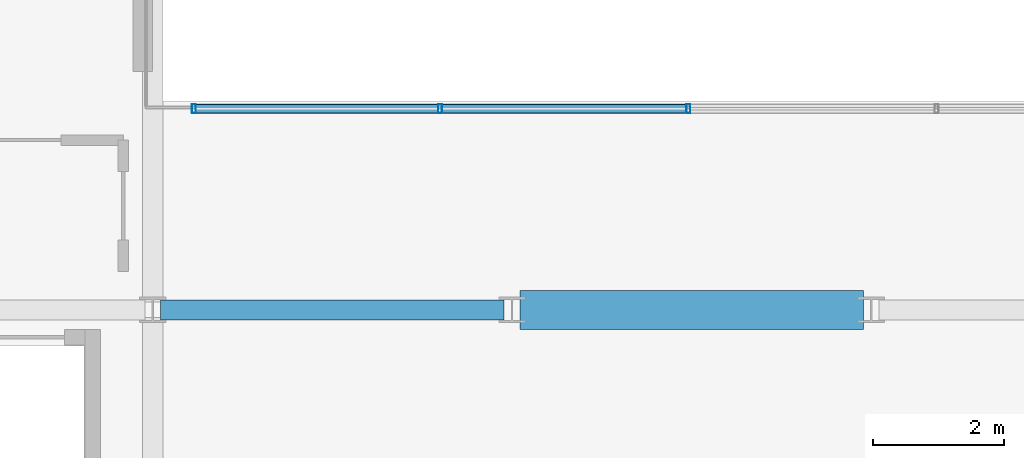
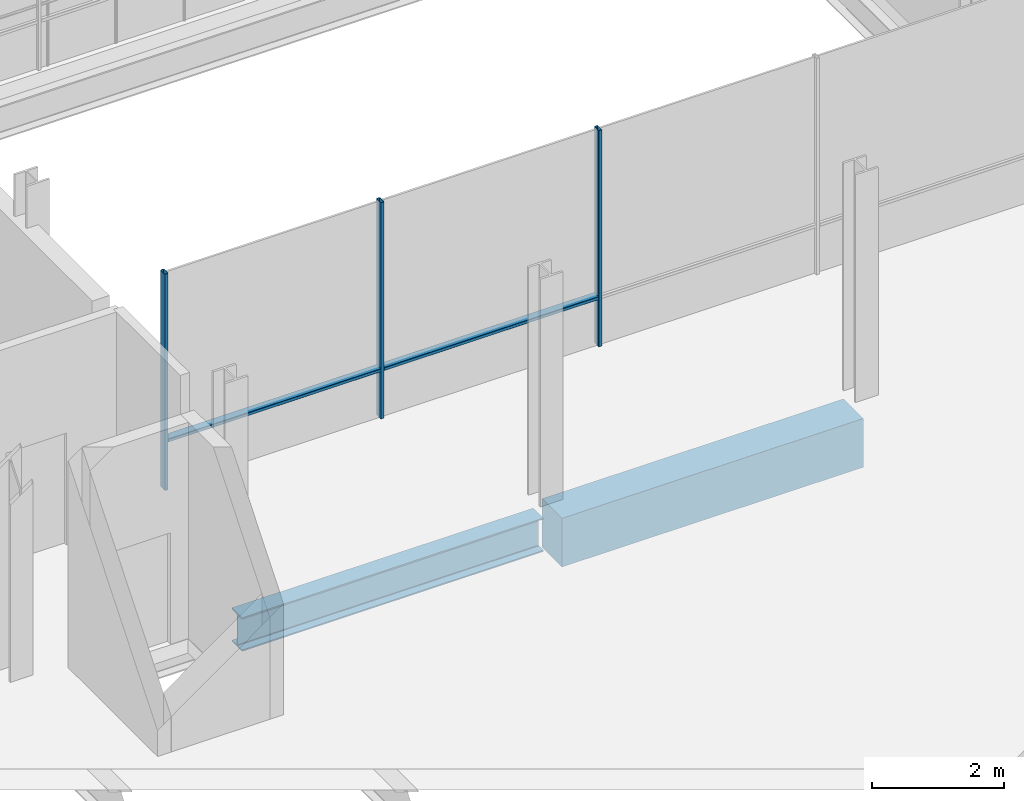
# One storey, part 5 of 33: 5 members, 2 beams, 1 element without a shape of its own.
"""IFC4 building model written with IfcOpenShell, lengths in metres."""

from ifc_helpers import new_model, si_unit, direction, frame, origin, origin_2d, place, context, subcontext, project, spatial, rectangle, hollow_rectangle, i_section, extrude, material, layer, layer_set, material_profile, profile_set, type_object, element, aggregate, save


model = new_model("IFC4")

# Units and contexts
model_context = context("Model", 3, precision=1e-05, world=origin(), true_north=direction((0.0, 1.0)))
body_context = subcontext(model_context, "Body", "Model", "MODEL_VIEW")
ifc_project = project(units=[si_unit("LENGTHUNIT", "METRE"), si_unit("AREAUNIT", "SQUARE_METRE"), si_unit("VOLUMEUNIT", "CUBIC_METRE"), si_unit("PLANEANGLEUNIT", "RADIAN"), si_unit("MASSUNIT", "GRAM", prefix="KILO")], contexts=[model_context])

# Site, building, storey
site_placement = place(None, origin())
site = spatial("IfcSite", under=ifc_project, at=site_placement, CompositionType="ELEMENT")
building_placement = place(site_placement, origin())
building = spatial("IfcBuilding", under=site, at=building_placement, Name="Brevholm Reach", CompositionType="ELEMENT")
storey_placement = place(building_placement, frame((0.0, 0.0, 179.0)))
storey = spatial("IfcBuildingStorey", under=building, at=storey_placement, Name="L54", CompositionType="ELEMENT", Elevation=179.0)

# Beams
ifc_material_1 = material(Name="Concrete C50/60", Category="concrete")
ifc_material_profile_1 = material_profile(ifc_material_1, rectangle(XDim=0.60009765625, YDim=0.89990234375, at=origin_2d()), Name="RC 600x900")
ifc_profile_set_1 = profile_set([ifc_material_profile_1], Name="Concrete C50/60")
beam_type_1 = type_object("IfcBeamType", Name="BM-CB600", PredefinedType="LINTEL", material=ifc_profile_set_1)
beam_1_placement = place(storey_placement, frame((27.3701171875, 10.0, -0.7099609375), z_axis=(1.0, 0.0, 0.0), x_axis=(0.0, 1.0, 0.0)))
element("IfcBeam", 1, at=beam_1_placement, inside=storey, type_object=beam_type_1, Name="L54 CB-02 Framing Beam", PredefinedType="LINTEL", context=body_context, shape_type="SweptSolid", body=[
    extrude(rectangle(XDim=0.60009765625, YDim=0.89990234375, at=origin_2d()), origin(), (0.0, 0.0, 1.0), 5.259765625),
])
ifc_material_2 = material(Name="Structural Steel S355J2", Category="steel")
ifc_material_profile_2 = material_profile(ifc_material_2, i_section(OverallWidth=0.30712890625, OverallDepth=0.6201171875, WebThickness=0.01416015625, FlangeThickness=0.023681640625, FilletRadius=0.0166015625, at=origin_2d()), Name="UKB 610x305x179")
ifc_profile_set_2 = profile_set([ifc_material_profile_2], Name="Structural Steel S355J2")
beam_type_2 = type_object("IfcBeamType", Name="BM-UKB610H", PredefinedType="USERDEFINED", material=ifc_profile_set_2)
beam_2_placement = place(storey_placement, frame((21.8701171875, 10.0, -0.570068359375), z_axis=(1.0, 0.0, 0.0), x_axis=(0.0, 1.0, 0.0)))
element("IfcBeam", 2, at=beam_2_placement, inside=storey, type_object=beam_type_2, Name="L54 G-06 Framing Beam", ObjectType="GIRDER", PredefinedType="USERDEFINED", context=body_context, shape_type="SweptSolid", body=[
    extrude(i_section(OverallWidth=0.30712890625, OverallDepth=0.6201171875, WebThickness=0.01416015625, FlangeThickness=0.023681640625, FilletRadius=0.0166015625, at=origin_2d()), origin(), (0.0, 0.0, 1.0), 5.259765625),
])

# Curtain wall, members
ifc_material_3 = material(Name="Dark Anodised Aluminium 6063-T6 and Solar-Control Glass", Category="aluminium")
ifc_layer = layer(ifc_material_3, 0.139892578125)
ifc_layer_set = layer_set([ifc_layer], Name="Dark Anodised Aluminium 6063-T6 and Solar-Control Glass")
curtain_wall_type = type_object("IfcCurtainWallType", Name="CW-02", PredefinedType="NOTDEFINED", material=ifc_layer_set)
curtain_wall_placement = place(storey_placement, origin())
curtain_wall = element("IfcCurtainWall", 3, at=curtain_wall_placement, inside=storey, type_object=curtain_wall_type, Name="L54 Curtain Wall CW-02", PredefinedType="NOTDEFINED")
ifc_material_4 = material(Name="Dark Anodised Aluminium 6063-T6", Category="aluminium")
ifc_material_profile_3 = material_profile(ifc_material_4, hollow_rectangle(XDim=0.06005859375, YDim=0.139892578125, WallThickness=0.0048828125, InnerFilletRadius=0.0048828125, OuterFilletRadius=0.010009765625, at=origin_2d()), Name="RHS 140x60x5")
ifc_profile_set_3 = profile_set([ifc_material_profile_3], Name="Dark Anodised Aluminium 6063-T6")
member_type_1 = type_object("IfcMemberType", Name="CWM-140", PredefinedType="MULLION", material=ifc_profile_set_3)
member_1_placement = place(storey_placement, frame((22.3798828125, 13.080078125, 0.0), z_axis=(0.0, 0.0, 1.0), x_axis=(1.0, 0.0, 0.0)))
member_1 = element("IfcMember", 4, at=member_1_placement, type_object=member_type_1, Name="CM-140 Mullion 1", PredefinedType="MULLION", context=body_context, shape_type="SweptSolid", body=[
    extrude(hollow_rectangle(XDim=0.06005859375, YDim=0.139892578125, WallThickness=0.0048828125, InnerFilletRadius=0.0048828125, OuterFilletRadius=0.010009765625, at=origin_2d()), origin(), (0.0, 0.0, 1.0), 3.989990234375),
])
member_2_placement = place(storey_placement, frame((26.14990234375, 13.080078125, 0.0), z_axis=(0.0, 0.0, 1.0), x_axis=(1.0, 0.0, 0.0)))
member_2 = element("IfcMember", 5, at=member_2_placement, type_object=member_type_1, Name="CM-140 Mullion 2", PredefinedType="MULLION", context=body_context, shape_type="SweptSolid", body=[
    extrude(hollow_rectangle(XDim=0.06005859375, YDim=0.139892578125, WallThickness=0.0048828125, InnerFilletRadius=0.0048828125, OuterFilletRadius=0.010009765625, at=origin_2d()), origin(), (0.0, 0.0, 1.0), 3.989990234375),
])
member_3_placement = place(storey_placement, frame((29.949951171875, 13.080078125, 0.0), z_axis=(0.0, 0.0, 1.0), x_axis=(1.0, 0.0, 0.0)))
member_3 = element("IfcMember", 6, at=member_3_placement, type_object=member_type_1, Name="CM-140 Mullion 3", PredefinedType="MULLION", context=body_context, shape_type="SweptSolid", body=[
    extrude(hollow_rectangle(XDim=0.06005859375, YDim=0.139892578125, WallThickness=0.0048828125, InnerFilletRadius=0.0048828125, OuterFilletRadius=0.010009765625, at=origin_2d()), origin(), (0.0, 0.0, 1.0), 3.989990234375),
])
ifc_material_5 = material(Name="Dark Anodised Aluminium 6063-T6", Category="aluminium")
ifc_material_profile_4 = material_profile(ifc_material_5, hollow_rectangle(XDim=0.06005859375, YDim=0.139892578125, WallThickness=0.0048828125, InnerFilletRadius=0.0048828125, OuterFilletRadius=0.010009765625, at=origin_2d()), Name="RHS 140x60x5")
ifc_profile_set_4 = profile_set([ifc_material_profile_4], Name="Dark Anodised Aluminium 6063-T6")
member_type_2 = type_object("IfcMemberType", Name="CWT-140", PredefinedType="NOTDEFINED", material=ifc_profile_set_4)
member_4_placement = place(storey_placement, frame((22.409912109375, 13.080078125, 0.89990234375), z_axis=(1.0, 0.0, 0.0), x_axis=(0.0, 0.0, 1.0)))
member_4 = element("IfcMember", 7, at=member_4_placement, type_object=member_type_2, Name="CT-140 Transom 1.1", ObjectType="TRANSOM", PredefinedType="USERDEFINED", context=body_context, shape_type="SweptSolid", body=[
    extrude(hollow_rectangle(XDim=0.06005859375, YDim=0.139892578125, WallThickness=0.0048828125, InnerFilletRadius=0.0048828125, OuterFilletRadius=0.010009765625, at=origin_2d()), origin(), (0.0, 0.0, 1.0), 3.710205078125),
])
member_5_placement = place(storey_placement, frame((26.179931640625, 13.080078125, 0.89990234375), z_axis=(1.0, 0.0, 0.0), x_axis=(0.0, 0.0, 1.0)))
member_5 = element("IfcMember", 8, at=member_5_placement, type_object=member_type_2, Name="CT-140 Transom 2.1", ObjectType="TRANSOM", PredefinedType="USERDEFINED", context=body_context, shape_type="SweptSolid", body=[
    extrude(hollow_rectangle(XDim=0.06005859375, YDim=0.139892578125, WallThickness=0.0048828125, InnerFilletRadius=0.0048828125, OuterFilletRadius=0.010009765625, at=origin_2d()), origin(), (0.0, 0.0, 1.0), 3.739990234375),
])
aggregate(curtain_wall, [member_1, member_2, member_3, member_4, member_5])

save(model, "model.ifc")
